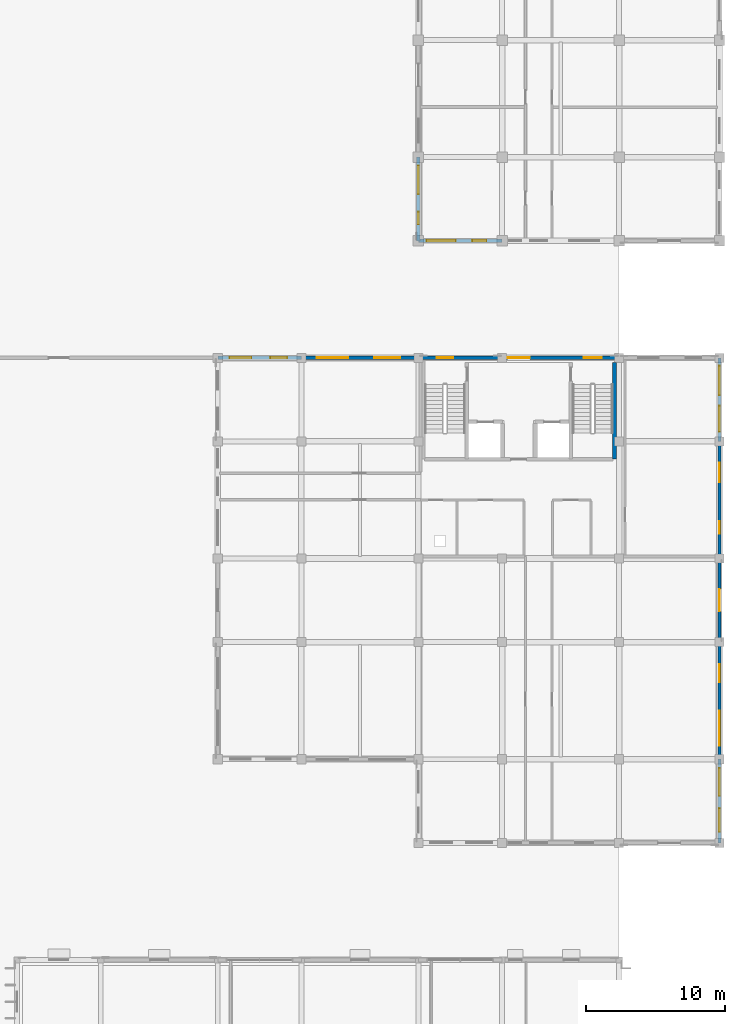
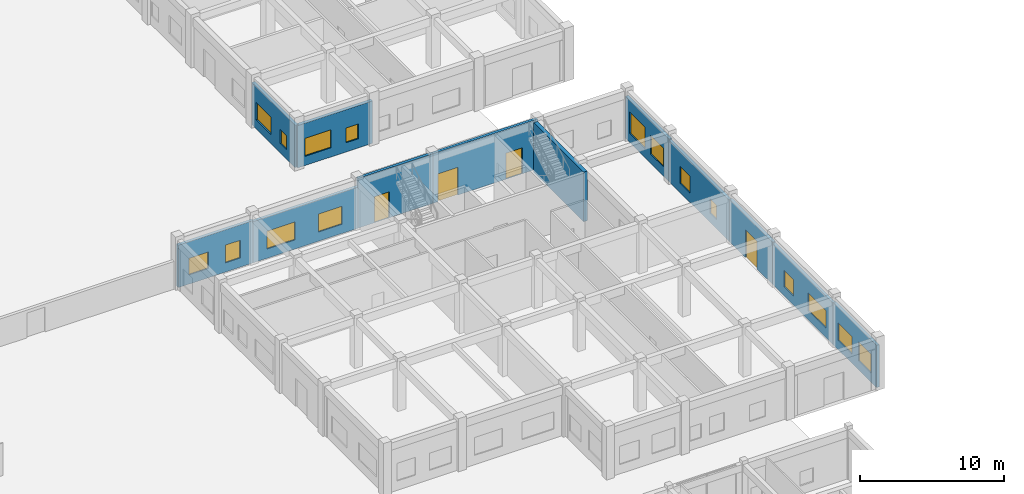
# One storey, part 45 of 67: 16 windows, 12 walls, 4 doors, 20 openings.
"""IFC4 building model written with IfcOpenShell, lengths in metres."""

from ifc_helpers import new_model, si_unit, direction, frame, frame_2d, origin, place, context, subcontext, project, spatial, rectangle, extrude, material, layer, layer_set, type_object, element, fill, save


model = new_model("IFC4")

# Units and contexts
model_context = context("Model", 3, precision=1e-05, world=origin(), true_north=direction((0.0, 1.0)))
body_context = subcontext(model_context, "Body", "Model", "MODEL_VIEW")
ifc_project = project(units=[si_unit("LENGTHUNIT", "METRE"), si_unit("AREAUNIT", "SQUARE_METRE"), si_unit("VOLUMEUNIT", "CUBIC_METRE"), si_unit("PLANEANGLEUNIT", "RADIAN"), si_unit("MASSUNIT", "GRAM", prefix="KILO"), si_unit("THERMODYNAMICTEMPERATUREUNIT", "KELVIN")], contexts=[model_context])

# Site, building, storey
site_placement = place(None, origin())
site = spatial("IfcSite", under=ifc_project, at=site_placement, CompositionType="ELEMENT")
building_placement = place(site_placement, origin())
building = spatial("IfcBuilding", under=site, at=building_placement, Name="Thalorik Housing Commons", CompositionType="ELEMENT")
storey_placement = place(building_placement, origin())
storey = spatial("IfcBuildingStorey", under=building, at=storey_placement, Name="L00", CompositionType="ELEMENT", Elevation=0.0)

# Wall
ifc_material_1 = material(Name="Concrete C40/50", Category="concrete")
ifc_layer_1 = layer(ifc_material_1, 0.300048828125, Name="Concrete C40/50", Category="concrete")
ifc_layer_set_1 = layer_set([ifc_layer_1], Name="Concrete C40/50")
wall_type_1 = type_object("IfcWallType", Name="ARC-WAL-CORE-300", PredefinedType="SHEAR", material=ifc_layer_set_1)
wall_1_placement = place(storey_placement, frame((166.47509765625, 71.64990234375, 0.0), z_axis=(0.0, 0.0, 1.0), x_axis=(0.0, -1.0, 0.0)))
element("IfcWall", 1, at=wall_1_placement, inside=storey, type_object=wall_type_1, Name="L00 Core D Stair 2 Outer Shear Wall", PredefinedType="SHEAR", context=body_context, shape_type="SweptSolid", body=[
    extrude(rectangle(XDim=6.9248046875, YDim=0.300048828125, at=frame_2d((3.46240234375, 0.0))), origin(), (0.0, 0.0, 1.0), 4.199951171875),
])

# Wall, openings, windows
ifc_material_2 = material(Name="White precast concrete C40/50", Category="concrete")
ifc_layer_2 = layer(ifc_material_2, 0.235107421875, Name="White precast concrete C40/50", Category="concrete")
ifc_layer_set_2 = layer_set([ifc_layer_2], Name="White precast concrete C40/50")
wall_type_2 = type_object("IfcWallType", Name="ARC-WAL-EXT-235", PredefinedType="STANDARD", material=ifc_layer_set_2)
wall_2_placement = place(storey_placement, frame((152.39990234375, 72.0, 0.0), z_axis=(0.0, 0.0, 1.0), x_axis=(-1.0, 0.0, 0.0)))
wall_2 = element("IfcWall", 2, at=wall_2_placement, inside=storey, type_object=wall_type_2, Name="L00 Exterior Wall WAL-EXT-L00-D-1105", PredefinedType="STANDARD", context=body_context, shape_type="SweptSolid", body=[
    extrude(rectangle(XDim=8.39990234375, YDim=0.235107421875, at=frame_2d((4.199951171875, 0.0))), origin(), (0.0, 0.0, 1.0), 3.485107421875),
])
opening_1_placement = place(wall_2_placement, frame((1.2900390625, 0.0, 0.780029296875)))
opening_1 = element("IfcOpeningElement", 3, at=opening_1_placement, cuts=wall_2, Name="Opening W-59", PredefinedType="OPENING", context=body_context, shape_type="SweptSolid", body=[
    extrude(rectangle(XDim=1.8798828125, YDim=1.52001953125, at=frame_2d((0.93994140625, 0.760009765625))), frame((0.0, 0.12744140625, 0.0), z_axis=(0.0, -1.0, 0.0), x_axis=(1.0, 0.0, 0.0)), (0.0, 0.0, 1.0), 0.255126953125),
])
opening_2_placement = place(wall_2_placement, frame((5.050048828125, 0.0, 0.780029296875)))
opening_2 = element("IfcOpeningElement", 4, at=opening_2_placement, cuts=wall_2, Name="Opening W-66", PredefinedType="OPENING", context=body_context, shape_type="SweptSolid", body=[
    extrude(rectangle(XDim=2.239990234375, YDim=1.52001953125, at=frame_2d((1.1201171875, 0.760009765625))), frame((0.0, 0.12744140625, 0.0), z_axis=(0.0, -1.0, 0.0), x_axis=(1.0, 0.0, 0.0)), (0.0, 0.0, 1.0), 0.255126953125),
])
ifc_material_3 = material(Name="Anodised aluminium and solar-control low-E glass", Category="aluminium")
window_type_1 = type_object("IfcWindowType", Name="ARC-WIN-59", PartitioningType="DOUBLE_PANEL_VERTICAL", PredefinedType="WINDOW", material=ifc_material_3)
window_1_placement = place(opening_1_placement, origin())
window_1 = element("IfcWindow", 5, at=window_1_placement, inside=storey, type_object=window_type_1, Name="L00 Facade Window 2037", OverallHeight=1.52001953125, OverallWidth=1.8798828125, PartitioningType="DOUBLE_PANEL_VERTICAL", PredefinedType="WINDOW", context=body_context, shape_type="SweptSolid", body=[
    extrude(rectangle(XDim=1.8798828125, YDim=1.52001953125, at=frame_2d((0.93994140625, 0.760009765625))), frame((0.0, 0.030029296875, 0.0), z_axis=(0.0, -1.0, 0.0), x_axis=(1.0, 0.0, 0.0)), (0.0, 0.0, 1.0), 0.06005859375),
])
fill(opening_1, window_1)
window_type_2 = type_object("IfcWindowType", Name="ARC-WIN-66", PartitioningType="DOUBLE_PANEL_VERTICAL", PredefinedType="WINDOW", material=ifc_material_3)
window_2_placement = place(opening_2_placement, origin())
window_2 = element("IfcWindow", 6, at=window_2_placement, inside=storey, type_object=window_type_2, Name="L00 Facade Window 2038", OverallHeight=1.52001953125, OverallWidth=2.239990234375, PartitioningType="DOUBLE_PANEL_VERTICAL", PredefinedType="WINDOW", context=body_context, shape_type="SweptSolid", body=[
    extrude(rectangle(XDim=2.239990234375, YDim=1.52001953125, at=frame_2d((1.1201171875, 0.760009765625))), frame((0.0, 0.030029296875, 0.0), z_axis=(0.0, -1.0, 0.0), x_axis=(1.0, 0.0, 0.0)), (0.0, 0.0, 1.0), 0.06005859375),
])
fill(opening_2, window_2)

wall_3_placement = place(storey_placement, frame((144.0, 72.0, 0.0), z_axis=(0.0, 0.0, 1.0), x_axis=(-1.0, 0.0, 0.0)))
wall_3 = element("IfcWall", 7, at=wall_3_placement, inside=storey, type_object=wall_type_2, Name="L00 Exterior Wall WAL-EXT-L00-D-1106", PredefinedType="STANDARD", context=body_context, shape_type="SweptSolid", body=[
    extrude(rectangle(XDim=6.0, YDim=0.235107421875, at=frame_2d((3.0, 0.0))), origin(), (0.0, 0.0, 1.0), 3.5849609375),
])
opening_3_placement = place(wall_3_placement, frame((1.030029296875, 0.0, 0.780029296875)))
opening_3 = element("IfcOpeningElement", 8, at=opening_3_placement, cuts=wall_3, Name="Opening W-05", PredefinedType="OPENING", context=body_context, shape_type="SweptSolid", body=[
    extrude(rectangle(XDim=1.199951171875, YDim=1.5, at=frame_2d((0.60009765625, 0.75))), frame((0.0, 0.12744140625, 0.0), z_axis=(0.0, -1.0, 0.0), x_axis=(1.0, 0.0, 0.0)), (0.0, 0.0, 1.0), 0.255126953125),
])
opening_4_placement = place(wall_3_placement, frame((3.594970703125, 0.0, 0.780029296875)))
opening_4 = element("IfcOpeningElement", 9, at=opening_4_placement, cuts=wall_3, Name="Opening W-12", PredefinedType="OPENING", context=body_context, shape_type="SweptSolid", body=[
    extrude(rectangle(XDim=1.550048828125, YDim=1.39990234375, at=frame_2d((0.77490234375, 0.699951171875))), frame((0.0, 0.12744140625, 0.0), z_axis=(0.0, -1.0, 0.0), x_axis=(1.0, 0.0, 0.0)), (0.0, 0.0, 1.0), 0.255126953125),
])
window_type_3 = type_object("IfcWindowType", Name="ARC-WIN-05", PartitioningType="SINGLE_PANEL", PredefinedType="WINDOW", material=ifc_material_3)
window_3_placement = place(opening_3_placement, origin())
window_3 = element("IfcWindow", 10, at=window_3_placement, inside=storey, type_object=window_type_3, Name="L00 Facade Window 2039", OverallHeight=1.5, OverallWidth=1.199951171875, PartitioningType="SINGLE_PANEL", PredefinedType="WINDOW", context=body_context, shape_type="SweptSolid", body=[
    extrude(rectangle(XDim=1.199951171875, YDim=1.5, at=frame_2d((0.60009765625, 0.75))), frame((0.0, 0.030029296875, 0.0), z_axis=(0.0, -1.0, 0.0), x_axis=(1.0, 0.0, 0.0)), (0.0, 0.0, 1.0), 0.06005859375),
])
fill(opening_3, window_3)
window_type_4 = type_object("IfcWindowType", Name="ARC-WIN-12", PartitioningType="SINGLE_PANEL", PredefinedType="WINDOW", material=ifc_material_3)
window_4_placement = place(opening_4_placement, origin())
window_4 = element("IfcWindow", 11, at=window_4_placement, inside=storey, type_object=window_type_4, Name="L00 Facade Window 2040", OverallHeight=1.39990234375, OverallWidth=1.550048828125, PartitioningType="SINGLE_PANEL", PredefinedType="WINDOW", context=body_context, shape_type="SweptSolid", body=[
    extrude(rectangle(XDim=1.550048828125, YDim=1.39990234375, at=frame_2d((0.77490234375, 0.699951171875))), frame((0.0, 0.030029296875, 0.0), z_axis=(0.0, -1.0, 0.0), x_axis=(1.0, 0.0, 0.0)), (0.0, 0.0, 1.0), 0.06005859375),
])
fill(opening_4, window_4)

wall_4_placement = place(storey_placement, frame((174.0, 37.199951171875, 0.0), z_axis=(0.0, 0.0, 1.0), x_axis=(0.0, 1.0, 0.0)))
wall_4 = element("IfcWall", 12, at=wall_4_placement, inside=storey, type_object=wall_type_2, Name="L00 Exterior Wall WAL-EXT-L00-D-1117", PredefinedType="STANDARD", context=body_context, shape_type="SweptSolid", body=[
    extrude(rectangle(XDim=6.0, YDim=0.235107421875, at=frame_2d((3.0, 0.0))), origin(), (0.0, 0.0, 1.0), 3.5849609375),
])
opening_5_placement = place(wall_4_placement, frame((0.780029296875, 0.0, 0.780029296875)))
opening_5 = element("IfcOpeningElement", 13, at=opening_5_placement, cuts=wall_4, Name="Opening W-16", PredefinedType="OPENING", context=body_context, shape_type="SweptSolid", body=[
    extrude(rectangle(XDim=1.699951171875, YDim=1.60009765625, at=frame_2d((0.85009765625, 0.800048828125))), frame((0.0, 0.12744140625, 0.0), z_axis=(0.0, -1.0, 0.0), x_axis=(1.0, 0.0, 0.0)), (0.0, 0.0, 1.0), 0.255126953125),
])
opening_6_placement = place(wall_4_placement, frame((3.3701171875, 0.0, 0.780029296875)))
opening_6 = element("IfcOpeningElement", 14, at=opening_6_placement, cuts=wall_4, Name="Opening W-23", PredefinedType="OPENING", context=body_context, shape_type="SweptSolid", body=[
    extrude(rectangle(XDim=2.0, YDim=1.5, at=frame_2d((1.0, 0.75))), frame((0.0, 0.12744140625, 0.0), z_axis=(0.0, -1.0, 0.0), x_axis=(1.0, 0.0, 0.0)), (0.0, 0.0, 1.0), 0.255126953125),
])
window_type_5 = type_object("IfcWindowType", Name="ARC-WIN-16", PartitioningType="DOUBLE_PANEL_VERTICAL", PredefinedType="WINDOW", material=ifc_material_3)
window_5_placement = place(opening_5_placement, origin())
window_5 = element("IfcWindow", 15, at=window_5_placement, inside=storey, type_object=window_type_5, Name="L00 Facade Window 2059", OverallHeight=1.60009765625, OverallWidth=1.699951171875, PartitioningType="DOUBLE_PANEL_VERTICAL", PredefinedType="WINDOW", context=body_context, shape_type="SweptSolid", body=[
    extrude(rectangle(XDim=1.699951171875, YDim=1.60009765625, at=frame_2d((0.85009765625, 0.800048828125))), frame((0.0, 0.030029296875, 0.0), z_axis=(0.0, -1.0, 0.0), x_axis=(1.0, 0.0, 0.0)), (0.0, 0.0, 1.0), 0.06005859375),
])
fill(opening_5, window_5)
window_type_6 = type_object("IfcWindowType", Name="ARC-WIN-23", PartitioningType="DOUBLE_PANEL_VERTICAL", PredefinedType="WINDOW", material=ifc_material_3)
window_6_placement = place(opening_6_placement, origin())
window_6 = element("IfcWindow", 16, at=window_6_placement, inside=storey, type_object=window_type_6, Name="L00 Facade Window 2060", OverallHeight=1.5, OverallWidth=2.0, PartitioningType="DOUBLE_PANEL_VERTICAL", PredefinedType="WINDOW", context=body_context, shape_type="SweptSolid", body=[
    extrude(rectangle(XDim=2.0, YDim=1.5, at=frame_2d((1.0, 0.75))), frame((0.0, 0.030029296875, 0.0), z_axis=(0.0, -1.0, 0.0), x_axis=(1.0, 0.0, 0.0)), (0.0, 0.0, 1.0), 0.06005859375),
])
fill(opening_6, window_6)

wall_5_placement = place(storey_placement, frame((174.0, 43.199951171875, 0.0), z_axis=(0.0, 0.0, 1.0), x_axis=(0.0, 1.0, 0.0)))
wall_5 = element("IfcWall", 17, at=wall_5_placement, inside=storey, type_object=wall_type_2, Name="L00 Exterior Wall WAL-EXT-L00-D-1118", PredefinedType="STANDARD", context=body_context, shape_type="SweptSolid", body=[
    extrude(rectangle(XDim=8.400146484375, YDim=0.235107421875, at=frame_2d((4.2001953125, 0.0))), origin(), (0.0, 0.0, 1.0), 3.485107421875),
])
opening_7_placement = place(wall_5_placement, frame((0.969970703125, 0.0, 0.780029296875)))
opening_7 = element("IfcOpeningElement", 18, at=opening_7_placement, cuts=wall_5, Name="Opening W-72", PredefinedType="OPENING", context=body_context, shape_type="SweptSolid", body=[
    extrude(rectangle(XDim=2.52001953125, YDim=1.5, at=frame_2d((1.260009765625, 0.75))), frame((0.0, 0.12744140625, 0.0), z_axis=(0.0, -1.0, 0.0), x_axis=(1.0, 0.0, 0.0)), (0.0, 0.0, 1.0), 0.255126953125),
])
opening_8_placement = place(wall_5_placement, frame((5.52001953125, 0.0, 0.780029296875)))
opening_8 = element("IfcOpeningElement", 19, at=opening_8_placement, cuts=wall_5, Name="Opening W-06", PredefinedType="OPENING", context=body_context, shape_type="SweptSolid", body=[
    extrude(rectangle(XDim=1.300048828125, YDim=1.39990234375, at=frame_2d((0.64990234375, 0.699951171875))), frame((0.0, 0.12744140625, 0.0), z_axis=(0.0, -1.0, 0.0), x_axis=(1.0, 0.0, 0.0)), (0.0, 0.0, 1.0), 0.255126953125),
])
window_type_7 = type_object("IfcWindowType", Name="ARC-WIN-06", PartitioningType="SINGLE_PANEL", PredefinedType="WINDOW", material=ifc_material_3)
window_7_placement = place(opening_8_placement, origin())
window_7 = element("IfcWindow", 20, at=window_7_placement, inside=storey, type_object=window_type_7, Name="L00 Facade Window 2062", OverallHeight=1.39990234375, OverallWidth=1.300048828125, PartitioningType="SINGLE_PANEL", PredefinedType="WINDOW", context=body_context, shape_type="SweptSolid", body=[
    extrude(rectangle(XDim=1.300048828125, YDim=1.39990234375, at=frame_2d((0.64990234375, 0.699951171875))), frame((0.0, 0.030029296875, 0.0), z_axis=(0.0, -1.0, 0.0), x_axis=(1.0, 0.0, 0.0)), (0.0, 0.0, 1.0), 0.06005859375),
])
fill(opening_8, window_7)
window_type_8 = type_object("IfcWindowType", Name="ARC-WIN-72", PartitioningType="DOUBLE_PANEL_VERTICAL", PredefinedType="WINDOW", material=ifc_material_3)
window_8_placement = place(opening_7_placement, origin())
window_8 = element("IfcWindow", 21, at=window_8_placement, inside=storey, type_object=window_type_8, Name="L00 Facade Window 2061", OverallHeight=1.5, OverallWidth=2.52001953125, PartitioningType="DOUBLE_PANEL_VERTICAL", PredefinedType="WINDOW", context=body_context, shape_type="SweptSolid", body=[
    extrude(rectangle(XDim=2.52001953125, YDim=1.5, at=frame_2d((1.260009765625, 0.75))), frame((0.0, 0.030029296875, 0.0), z_axis=(0.0, -1.0, 0.0), x_axis=(1.0, 0.0, 0.0)), (0.0, 0.0, 1.0), 0.06005859375),
])
fill(opening_7, window_8)

# Wall, opening, door
wall_6_placement = place(storey_placement, frame((174.0, 51.60009765625, 0.0), z_axis=(0.0, 0.0, 1.0), x_axis=(0.0, 1.0, 0.0)))
wall_6 = element("IfcWall", 22, at=wall_6_placement, inside=storey, type_object=wall_type_2, Name="L00 Exterior Wall WAL-EXT-L00-D-1119", PredefinedType="STANDARD", context=body_context, shape_type="SweptSolid", body=[
    extrude(rectangle(XDim=6.0, YDim=0.235107421875, at=frame_2d((3.0, 0.0))), origin(), (0.0, 0.0, 1.0), 3.5849609375),
])
opening_9_placement = place(wall_6_placement, frame((2.199951171875, 0.0, 0.0)))
opening_9 = element("IfcOpeningElement", 23, at=opening_9_placement, cuts=wall_6, Name="Opening ED-0372", PredefinedType="OPENING", context=body_context, shape_type="SweptSolid", body=[
    extrude(rectangle(XDim=1.60009765625, YDim=2.35009765625, at=frame_2d((0.800048828125, 1.175048828125))), frame((0.0, 0.12744140625, 0.0), z_axis=(0.0, -1.0, 0.0), x_axis=(1.0, 0.0, 0.0)), (0.0, 0.0, 1.0), 0.255126953125),
])
ifc_material_4 = material(Name="Anodised aluminium and laminated safety glass", Category="aluminium")
door_type_1 = type_object("IfcDoorType", Name="ARC-DR-EXT-LOB-1600", OperationType="NOTDEFINED", PredefinedType="DOOR", material=ifc_material_4)
door_1_placement = place(opening_9_placement, frame((1.60009765625, 0.0, 0.0), z_axis=(0.0, 0.0, 1.0), x_axis=(-1.0, 0.0, 0.0)))
door_1 = element("IfcDoor", 24, at=door_1_placement, inside=storey, type_object=door_type_1, Name="L00 Block D Courtyard Entrance Door", OperationType="DOUBLE_DOOR_SINGLE_SWING", OverallHeight=2.35009765625, OverallWidth=1.60009765625, PredefinedType="DOOR", context=body_context, shape_type="SweptSolid", body=[
    extrude(rectangle(XDim=1.60009765625, YDim=2.35009765625, at=frame_2d((0.800048828125, 1.175048828125))), frame((0.0, 0.02490234375, 0.0), z_axis=(0.0, -1.0, 0.0), x_axis=(1.0, 0.0, 0.0)), (0.0, 0.0, 1.0), 0.050048828125),
])
fill(opening_9, door_1)

# Wall, openings, windows
wall_7_placement = place(storey_placement, frame((174.0, 57.60009765625, 0.0), z_axis=(0.0, 0.0, 1.0), x_axis=(0.0, 1.0, 0.0)))
wall_7 = element("IfcWall", 25, at=wall_7_placement, inside=storey, type_object=wall_type_2, Name="L00 Exterior Wall WAL-EXT-L00-D-1120", PredefinedType="STANDARD", context=body_context, shape_type="SweptSolid", body=[
    extrude(rectangle(XDim=8.39990234375, YDim=0.235107421875, at=frame_2d((4.199951171875, 0.0))), origin(), (0.0, 0.0, 1.0), 3.485107421875),
])
opening_10_placement = place(wall_7_placement, frame((1.780029296875, 0.0, 0.780029296875)))
opening_10 = element("IfcOpeningElement", 26, at=opening_10_placement, cuts=wall_7, Name="Opening W-01", PredefinedType="OPENING", context=body_context, shape_type="SweptSolid", body=[
    extrude(rectangle(XDim=0.89990234375, YDim=1.199951171875, at=frame_2d((0.449951171875, 0.60009765625))), frame((0.0, 0.12744140625, 0.0), z_axis=(0.0, -1.0, 0.0), x_axis=(1.0, 0.0, 0.0)), (0.0, 0.0, 1.0), 0.255126953125),
])
opening_11_placement = place(wall_7_placement, frame((5.469970703125, 0.0, 0.780029296875)))
opening_11 = element("IfcOpeningElement", 27, at=opening_11_placement, cuts=wall_7, Name="Opening W-08", PredefinedType="OPENING", context=body_context, shape_type="SweptSolid", body=[
    extrude(rectangle(XDim=1.39990234375, YDim=1.449951171875, at=frame_2d((0.699951171875, 0.72509765625))), frame((0.0, 0.12744140625, 0.0), z_axis=(0.0, -1.0, 0.0), x_axis=(1.0, 0.0, 0.0)), (0.0, 0.0, 1.0), 0.255126953125),
])
window_type_9 = type_object("IfcWindowType", Name="ARC-WIN-01", PartitioningType="SINGLE_PANEL", PredefinedType="WINDOW", material=ifc_material_3)
window_9_placement = place(opening_10_placement, origin())
window_9 = element("IfcWindow", 28, at=window_9_placement, inside=storey, type_object=window_type_9, Name="L00 Facade Window 2063", OverallHeight=1.199951171875, OverallWidth=0.89990234375, PartitioningType="SINGLE_PANEL", PredefinedType="WINDOW", context=body_context, shape_type="SweptSolid", body=[
    extrude(rectangle(XDim=0.89990234375, YDim=1.199951171875, at=frame_2d((0.449951171875, 0.60009765625))), frame((0.0, 0.030029296875, 0.0), z_axis=(0.0, -1.0, 0.0), x_axis=(1.0, 0.0, 0.0)), (0.0, 0.0, 1.0), 0.06005859375),
])
fill(opening_10, window_9)
window_type_10 = type_object("IfcWindowType", Name="ARC-WIN-08", PartitioningType="SINGLE_PANEL", PredefinedType="WINDOW", material=ifc_material_3)
window_10_placement = place(opening_11_placement, origin())
window_10 = element("IfcWindow", 29, at=window_10_placement, inside=storey, type_object=window_type_10, Name="L00 Facade Window 2064", OverallHeight=1.449951171875, OverallWidth=1.39990234375, PartitioningType="SINGLE_PANEL", PredefinedType="WINDOW", context=body_context, shape_type="SweptSolid", body=[
    extrude(rectangle(XDim=1.39990234375, YDim=1.449951171875, at=frame_2d((0.699951171875, 0.72509765625))), frame((0.0, 0.030029296875, 0.0), z_axis=(0.0, -1.0, 0.0), x_axis=(1.0, 0.0, 0.0)), (0.0, 0.0, 1.0), 0.06005859375),
])
fill(opening_11, window_10)

wall_8_placement = place(storey_placement, frame((174.0, 66.0, 0.0), z_axis=(0.0, 0.0, 1.0), x_axis=(0.0, 1.0, 0.0)))
wall_8 = element("IfcWall", 30, at=wall_8_placement, inside=storey, type_object=wall_type_2, Name="L00 Exterior Wall WAL-EXT-L00-D-1121", PredefinedType="STANDARD", context=body_context, shape_type="SweptSolid", body=[
    extrude(rectangle(XDim=6.0, YDim=0.235107421875, at=frame_2d((3.0, 0.0))), origin(), (0.0, 0.0, 1.0), 3.5849609375),
])
opening_12_placement = place(wall_8_placement, frame((0.705078125, 0.0, 0.780029296875)))
opening_12 = element("IfcOpeningElement", 31, at=opening_12_placement, cuts=wall_8, Name="Opening W-20", PredefinedType="OPENING", context=body_context, shape_type="SweptSolid", body=[
    extrude(rectangle(XDim=1.85009765625, YDim=1.60009765625, at=frame_2d((0.925048828125, 0.800048828125))), frame((0.0, 0.12744140625, 0.0), z_axis=(0.0, -1.0, 0.0), x_axis=(1.0, 0.0, 0.0)), (0.0, 0.0, 1.0), 0.255126953125),
])
opening_13_placement = place(wall_8_placement, frame((3.320068359375, 0.0, 0.780029296875)))
opening_13 = element("IfcOpeningElement", 32, at=opening_13_placement, cuts=wall_8, Name="Opening W-27", PredefinedType="OPENING", context=body_context, shape_type="SweptSolid", body=[
    extrude(rectangle(XDim=2.10009765625, YDim=1.800048828125, at=frame_2d((1.050048828125, 0.89990234375))), frame((0.0, 0.12744140625, 0.0), z_axis=(0.0, -1.0, 0.0), x_axis=(1.0, 0.0, 0.0)), (0.0, 0.0, 1.0), 0.255126953125),
])
window_type_11 = type_object("IfcWindowType", Name="ARC-WIN-20", PartitioningType="DOUBLE_PANEL_VERTICAL", PredefinedType="WINDOW", material=ifc_material_3)
window_11_placement = place(opening_12_placement, origin())
window_11 = element("IfcWindow", 33, at=window_11_placement, inside=storey, type_object=window_type_11, Name="L00 Facade Window 2065", OverallHeight=1.60009765625, OverallWidth=1.85009765625, PartitioningType="DOUBLE_PANEL_VERTICAL", PredefinedType="WINDOW", context=body_context, shape_type="SweptSolid", body=[
    extrude(rectangle(XDim=1.85009765625, YDim=1.60009765625, at=frame_2d((0.925048828125, 0.800048828125))), frame((0.0, 0.030029296875, 0.0), z_axis=(0.0, -1.0, 0.0), x_axis=(1.0, 0.0, 0.0)), (0.0, 0.0, 1.0), 0.06005859375),
])
fill(opening_12, window_11)
window_type_12 = type_object("IfcWindowType", Name="ARC-WIN-27", PartitioningType="DOUBLE_PANEL_VERTICAL", PredefinedType="WINDOW", material=ifc_material_3)
window_12_placement = place(opening_13_placement, origin())
window_12 = element("IfcWindow", 34, at=window_12_placement, inside=storey, type_object=window_type_12, Name="L00 Facade Window 2066", OverallHeight=1.800048828125, OverallWidth=2.10009765625, PartitioningType="DOUBLE_PANEL_VERTICAL", PredefinedType="WINDOW", context=body_context, shape_type="SweptSolid", body=[
    extrude(rectangle(XDim=2.10009765625, YDim=1.800048828125, at=frame_2d((1.050048828125, 0.89990234375))), frame((0.0, 0.030029296875, 0.0), z_axis=(0.0, -1.0, 0.0), x_axis=(1.0, 0.0, 0.0)), (0.0, 0.0, 1.0), 0.06005859375),
])
fill(opening_13, window_12)

# Wall, openings, doors
wall_9_placement = place(storey_placement, frame((166.800048828125, 72.0, 0.0), z_axis=(0.0, 0.0, 1.0), x_axis=(-1.0, 0.0, 0.0)))
wall_9 = element("IfcWall", 35, at=wall_9_placement, inside=storey, type_object=wall_type_2, Name="L00 Exterior Wall WAL-EXT-L00-D-1123", PredefinedType="STANDARD", context=body_context, shape_type="SweptSolid", body=[
    extrude(rectangle(XDim=8.400146484375, YDim=0.235107421875, at=frame_2d((4.2001953125, 0.0))), origin(), (0.0, 0.0, 1.0), 4.199951171875),
])
opening_14_placement = place(wall_9_placement, frame((6.39990234375, 0.0, 0.0)))
opening_14 = element("IfcOpeningElement", 36, at=opening_14_placement, cuts=wall_9, Name="Opening ED-0373", PredefinedType="OPENING", context=body_context, shape_type="SweptSolid", body=[
    extrude(rectangle(XDim=1.60009765625, YDim=2.35009765625, at=frame_2d((0.800048828125, 1.175048828125))), frame((0.0, 0.12744140625, 0.0), z_axis=(0.0, -1.0, 0.0), x_axis=(1.0, 0.0, 0.0)), (0.0, 0.0, 1.0), 0.255126953125),
])
opening_15_placement = place(wall_9_placement, frame((1.25, 0.0, 0.0)))
opening_15 = element("IfcOpeningElement", 37, at=opening_15_placement, cuts=wall_9, Name="Opening ED-0374", PredefinedType="OPENING", context=body_context, shape_type="SweptSolid", body=[
    extrude(rectangle(XDim=1.300048828125, YDim=2.199951171875, at=frame_2d((0.64990234375, 1.10009765625))), frame((0.0, 0.12744140625, 0.0), z_axis=(0.0, -1.0, 0.0), x_axis=(1.0, 0.0, 0.0)), (0.0, 0.0, 1.0), 0.255126953125),
])
door_type_2 = type_object("IfcDoorType", Name="ARC-DR-EXT-EXIT-1300", OperationType="NOTDEFINED", PredefinedType="DOOR", material=ifc_material_4)
door_2_placement = place(opening_15_placement, frame((1.300048828125, 0.0, 0.0), z_axis=(0.0, 0.0, 1.0), x_axis=(-1.0, 0.0, 0.0)))
door_2 = element("IfcDoor", 38, at=door_2_placement, inside=storey, type_object=door_type_2, Name="L00 Stair ST-D2 Final Street Exit Door", OperationType="SINGLE_SWING_LEFT", OverallHeight=2.199951171875, OverallWidth=1.300048828125, PredefinedType="DOOR", context=body_context, shape_type="SweptSolid", body=[
    extrude(rectangle(XDim=1.300048828125, YDim=2.199951171875, at=frame_2d((0.64990234375, 1.10009765625))), frame((0.0, 0.02490234375, 0.0), z_axis=(0.0, -1.0, 0.0), x_axis=(1.0, 0.0, 0.0)), (0.0, 0.0, 1.0), 0.050048828125),
])
fill(opening_15, door_2)
door_3_placement = place(opening_14_placement, frame((1.60009765625, 0.0, 0.0), z_axis=(0.0, 0.0, 1.0), x_axis=(-1.0, 0.0, 0.0)))
door_3 = element("IfcDoor", 39, at=door_3_placement, inside=storey, type_object=door_type_1, Name="L00 Block D Main Lobby Street Entrance Door", OperationType="DOUBLE_DOOR_SINGLE_SWING", OverallHeight=2.35009765625, OverallWidth=1.60009765625, PredefinedType="DOOR", context=body_context, shape_type="SweptSolid", body=[
    extrude(rectangle(XDim=1.60009765625, YDim=2.35009765625, at=frame_2d((0.800048828125, 1.175048828125))), frame((0.0, 0.02490234375, 0.0), z_axis=(0.0, -1.0, 0.0), x_axis=(1.0, 0.0, 0.0)), (0.0, 0.0, 1.0), 0.050048828125),
])
fill(opening_14, door_3)

# Wall, opening, door
wall_10_placement = place(storey_placement, frame((158.39990234375, 72.0, 0.0), z_axis=(0.0, 0.0, 1.0), x_axis=(-1.0, 0.0, 0.0)))
wall_10 = element("IfcWall", 40, at=wall_10_placement, inside=storey, type_object=wall_type_2, Name="L00 Exterior Wall WAL-EXT-L00-D-1124", PredefinedType="STANDARD", context=body_context, shape_type="SweptSolid", body=[
    extrude(rectangle(XDim=6.0, YDim=0.235107421875, at=frame_2d((3.0, 0.0))), origin(), (0.0, 0.0, 1.0), 4.199951171875),
])
opening_16_placement = place(wall_10_placement, frame((3.5, 0.0, 0.0)))
opening_16 = element("IfcOpeningElement", 41, at=opening_16_placement, cuts=wall_10, Name="Opening ED-0375", PredefinedType="OPENING", context=body_context, shape_type="SweptSolid", body=[
    extrude(rectangle(XDim=1.199951171875, YDim=2.199951171875, at=frame_2d((0.60009765625, 1.10009765625))), frame((0.0, 0.12744140625, 0.0), z_axis=(0.0, -1.0, 0.0), x_axis=(1.0, 0.0, 0.0)), (0.0, 0.0, 1.0), 0.255126953125),
])
door_type_3 = type_object("IfcDoorType", Name="ARC-DR-EXT-EXIT-1200", OperationType="NOTDEFINED", PredefinedType="DOOR", material=ifc_material_4)
door_4_placement = place(opening_16_placement, frame((1.199951171875, 0.0, 0.0), z_axis=(0.0, 0.0, 1.0), x_axis=(-1.0, 0.0, 0.0)))
door_4 = element("IfcDoor", 42, at=door_4_placement, inside=storey, type_object=door_type_3, Name="L00 Stair ST-D1 Final Street Exit Door", OperationType="SINGLE_SWING_RIGHT", OverallHeight=2.199951171875, OverallWidth=1.199951171875, PredefinedType="DOOR", context=body_context, shape_type="SweptSolid", body=[
    extrude(rectangle(XDim=1.199951171875, YDim=2.199951171875, at=frame_2d((0.60009765625, 1.10009765625))), frame((0.0, 0.02490234375, 0.0), z_axis=(0.0, -1.0, 0.0), x_axis=(1.0, 0.0, 0.0)), (0.0, 0.0, 1.0), 0.050048828125),
])
fill(opening_16, door_4)

# Wall, openings, windows
ifc_layer_3 = layer(ifc_material_2, 0.2548828125, Name="White precast concrete C40/50", Category="concrete")
ifc_layer_set_3 = layer_set([ifc_layer_3], Name="White precast concrete C40/50")
wall_type_3 = type_object("IfcWallType", Name="ARC-WAL-EXT-255", PredefinedType="STANDARD", material=ifc_layer_set_3)
wall_11_placement = place(storey_placement, frame((152.39990234375, 86.39990234375, 0.0), z_axis=(0.0, 0.0, 1.0), x_axis=(0.0, -1.0, 0.0)))
wall_11 = element("IfcWall", 43, at=wall_11_placement, inside=storey, type_object=wall_type_3, Name="L00 Exterior Wall WAL-EXT-L00-B-0399", PredefinedType="STANDARD", context=body_context, shape_type="SweptSolid", body=[
    extrude(rectangle(XDim=6.0, YDim=0.2548828125, at=frame_2d((3.0, 0.0))), origin(), (0.0, 0.0, 1.0), 3.5849609375),
])
opening_17_placement = place(wall_11_placement, frame((0.610107421875, 0.0, 0.780029296875)))
opening_17 = element("IfcOpeningElement", 44, at=opening_17_placement, cuts=wall_11, Name="Opening W-62", PredefinedType="OPENING", context=body_context, shape_type="SweptSolid", body=[
    extrude(rectangle(XDim=2.0400390625, YDim=1.4599609375, at=frame_2d((1.02001953125, 0.72998046875))), frame((0.0, 0.137451171875, 0.0), z_axis=(0.0, -1.0, 0.0), x_axis=(1.0, 0.0, 0.0)), (0.0, 0.0, 1.0), 0.27490234375),
])
opening_18_placement = place(wall_11_placement, frame((3.919921875, 0.0, 0.780029296875)))
opening_18 = element("IfcOpeningElement", 45, at=opening_18_placement, cuts=wall_11, Name="Opening W-01", PredefinedType="OPENING", context=body_context, shape_type="SweptSolid", body=[
    extrude(rectangle(XDim=0.89990234375, YDim=1.199951171875, at=frame_2d((0.449951171875, 0.60009765625))), frame((0.0, 0.137451171875, 0.0), z_axis=(0.0, -1.0, 0.0), x_axis=(1.0, 0.0, 0.0)), (0.0, 0.0, 1.0), 0.27490234375),
])
window_13_placement = place(opening_18_placement, origin())
window_13 = element("IfcWindow", 46, at=window_13_placement, inside=storey, type_object=window_type_9, Name="L00 Facade Window 713", OverallHeight=1.199951171875, OverallWidth=0.89990234375, PartitioningType="SINGLE_PANEL", PredefinedType="WINDOW", context=body_context, shape_type="SweptSolid", body=[
    extrude(rectangle(XDim=0.89990234375, YDim=1.199951171875, at=frame_2d((0.449951171875, 0.60009765625))), frame((0.0, 0.030029296875, 0.0), z_axis=(0.0, -1.0, 0.0), x_axis=(1.0, 0.0, 0.0)), (0.0, 0.0, 1.0), 0.06005859375),
])
fill(opening_18, window_13)
window_type_13 = type_object("IfcWindowType", Name="ARC-WIN-62", PartitioningType="DOUBLE_PANEL_VERTICAL", PredefinedType="WINDOW", material=ifc_material_3)
window_14_placement = place(opening_17_placement, origin())
window_14 = element("IfcWindow", 47, at=window_14_placement, inside=storey, type_object=window_type_13, Name="L00 Facade Window 712", OverallHeight=1.4599609375, OverallWidth=2.0400390625, PartitioningType="DOUBLE_PANEL_VERTICAL", PredefinedType="WINDOW", context=body_context, shape_type="SweptSolid", body=[
    extrude(rectangle(XDim=2.0400390625, YDim=1.4599609375, at=frame_2d((1.02001953125, 0.72998046875))), frame((0.0, 0.030029296875, 0.0), z_axis=(0.0, -1.0, 0.0), x_axis=(1.0, 0.0, 0.0)), (0.0, 0.0, 1.0), 0.06005859375),
])
fill(opening_17, window_14)

wall_12_placement = place(storey_placement, frame((152.39990234375, 80.39990234375, 0.0), z_axis=(0.0, 0.0, 1.0), x_axis=(1.0, 0.0, 0.0)))
wall_12 = element("IfcWall", 48, at=wall_12_placement, inside=storey, type_object=wall_type_3, Name="L00 Exterior Wall WAL-EXT-L00-B-0400", PredefinedType="STANDARD", context=body_context, shape_type="SweptSolid", body=[
    extrude(rectangle(XDim=6.0, YDim=0.2548828125, at=frame_2d((3.0, 0.0))), origin(), (0.0, 0.0, 1.0), 3.5849609375),
])
opening_19_placement = place(wall_12_placement, frame((0.590087890625, 0.0, 0.780029296875)))
opening_19 = element("IfcOpeningElement", 49, at=opening_19_placement, cuts=wall_12, Name="Opening W-63", PredefinedType="OPENING", context=body_context, shape_type="SweptSolid", body=[
    extrude(rectangle(XDim=2.080078125, YDim=1.52001953125, at=frame_2d((1.0400390625, 0.760009765625))), frame((0.0, 0.137451171875, 0.0), z_axis=(0.0, -1.0, 0.0), x_axis=(1.0, 0.0, 0.0)), (0.0, 0.0, 1.0), 0.27490234375),
])
opening_20_placement = place(wall_12_placement, frame((3.8701171875, 0.0, 0.780029296875)))
opening_20 = element("IfcOpeningElement", 50, at=opening_20_placement, cuts=wall_12, Name="Opening W-02", PredefinedType="OPENING", context=body_context, shape_type="SweptSolid", body=[
    extrude(rectangle(XDim=1.0, YDim=1.25, at=frame_2d((0.5, 0.625))), frame((0.0, 0.137451171875, 0.0), z_axis=(0.0, -1.0, 0.0), x_axis=(1.0, 0.0, 0.0)), (0.0, 0.0, 1.0), 0.27490234375),
])
window_type_14 = type_object("IfcWindowType", Name="ARC-WIN-02", PartitioningType="SINGLE_PANEL", PredefinedType="WINDOW", material=ifc_material_3)
window_15_placement = place(opening_20_placement, origin())
window_15 = element("IfcWindow", 51, at=window_15_placement, inside=storey, type_object=window_type_14, Name="L00 Facade Window 715", OverallHeight=1.25, OverallWidth=1.0, PartitioningType="SINGLE_PANEL", PredefinedType="WINDOW", context=body_context, shape_type="SweptSolid", body=[
    extrude(rectangle(XDim=1.0, YDim=1.25, at=frame_2d((0.5, 0.625))), frame((0.0, 0.030029296875, 0.0), z_axis=(0.0, -1.0, 0.0), x_axis=(1.0, 0.0, 0.0)), (0.0, 0.0, 1.0), 0.06005859375),
])
fill(opening_20, window_15)
window_type_15 = type_object("IfcWindowType", Name="ARC-WIN-63", PartitioningType="DOUBLE_PANEL_VERTICAL", PredefinedType="WINDOW", material=ifc_material_3)
window_16_placement = place(opening_19_placement, origin())
window_16 = element("IfcWindow", 52, at=window_16_placement, inside=storey, type_object=window_type_15, Name="L00 Facade Window 714", OverallHeight=1.52001953125, OverallWidth=2.080078125, PartitioningType="DOUBLE_PANEL_VERTICAL", PredefinedType="WINDOW", context=body_context, shape_type="SweptSolid", body=[
    extrude(rectangle(XDim=2.080078125, YDim=1.52001953125, at=frame_2d((1.0400390625, 0.760009765625))), frame((0.0, 0.030029296875, 0.0), z_axis=(0.0, -1.0, 0.0), x_axis=(1.0, 0.0, 0.0)), (0.0, 0.0, 1.0), 0.06005859375),
])
fill(opening_19, window_16)

save(model, "model.ifc")
